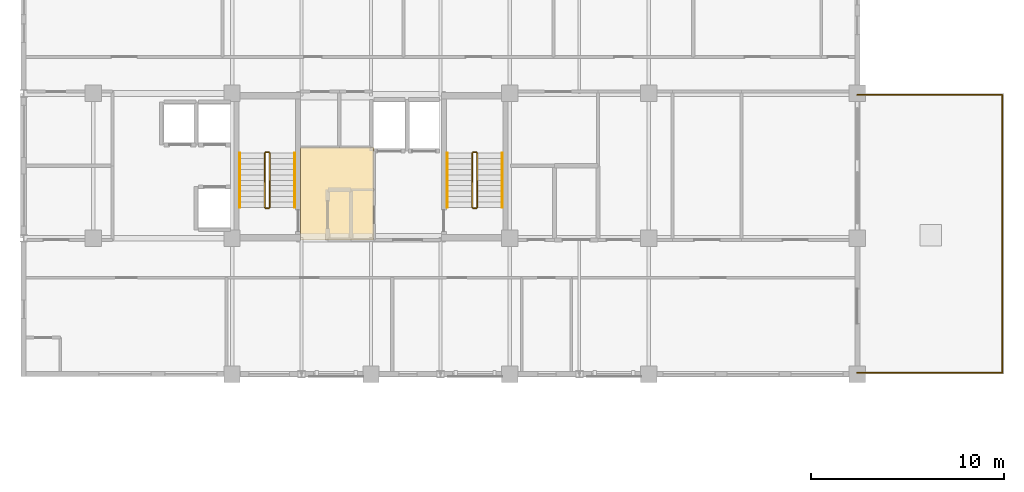
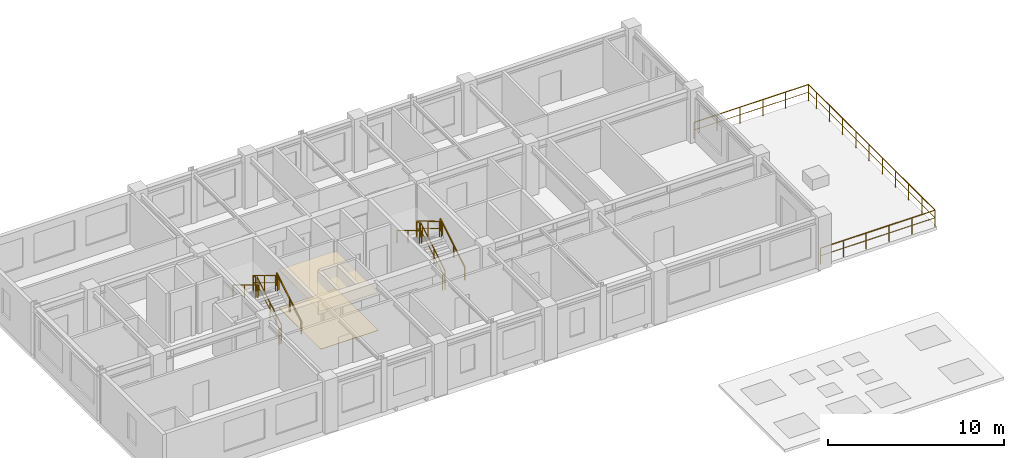
# One storey, part 7 of 8: 15 railings, 2 coverings.
"""IFC4 building model written with IfcOpenShell, lengths in metres."""

from ifc_helpers import new_model, si_unit, direction, frame, origin, origin_2d, place, context, subcontext, project, spatial, rectangle, extrude, source, transform, mapped, material, layer, layer_set, type_object, element, save


model = new_model("IFC4")

# Units and contexts
model_context = context("Model", 3, precision=1e-05, world=origin(), true_north=direction((0.0, 1.0)))
body_context = subcontext(model_context, "Body", "Model", "MODEL_VIEW")
ifc_project = project(units=[si_unit("LENGTHUNIT", "METRE"), si_unit("AREAUNIT", "SQUARE_METRE"), si_unit("VOLUMEUNIT", "CUBIC_METRE"), si_unit("PLANEANGLEUNIT", "RADIAN"), si_unit("MASSUNIT", "GRAM", prefix="KILO")], contexts=[model_context])

# Site, building, storey
site_placement = place(None, origin())
site = spatial("IfcSite", under=ifc_project, at=site_placement, CompositionType="ELEMENT")
building_placement = place(site_placement, origin())
building = spatial("IfcBuilding", under=site, at=building_placement, Name="Kaliganga Portal Commons", CompositionType="ELEMENT")
storey_placement = place(building_placement, frame((0.0, 0.0, 249.89990234375)))
storey = spatial("IfcBuildingStorey", under=building, at=storey_placement, Name="L64", CompositionType="ELEMENT", Elevation=249.89990234375)

# Railings
ifc_material_1 = material(Name="Laminated Safety Glass and Stainless Steel 316", Category="steel")
railing_type_1 = type_object("IfcRailingType", Name="RLG-BAL-1150", PredefinedType="BALUSTRADE", material=ifc_material_1)
railing_1_placement = place(storey_placement, frame((46.800048828125, 21.679931640625, 0.0)))
element("IfcRailing", 1, at=railing_1_placement, inside=storey, type_object=railing_type_1, Name="Terrace Guardrail L64 wing_b_roof_terrace-01-1", PredefinedType="BALUSTRADE", context=body_context, shape_type="SweptSolid", body=[
    extrude(rectangle(XDim=0.048095703125, YDim=0.048095703125, at=origin_2d()), frame((0.0, 0.0, 1.1259765625), z_axis=(1.0, 0.0, 0.0), x_axis=(0.0, 1.0, 0.0)), (0.0, 0.0, 1.0), 7.52001953125),
    extrude(rectangle(XDim=0.028076171875, YDim=0.028076171875, at=origin_2d()), frame((0.0, 0.0, 0.597900390625), z_axis=(1.0, 0.0, 0.0), x_axis=(0.0, 1.0, 0.0)), (0.0, 0.0, 1.0), 7.52001953125),
    extrude(rectangle(XDim=0.0419921875, YDim=0.0419921875, at=origin_2d()), origin(), (0.0, 0.0, 1.0), 1.101806640625),
    extrude(rectangle(XDim=0.0419921875, YDim=0.0419921875, at=origin_2d()), frame((1.5, 0.0, 0.0)), (0.0, 0.0, 1.0), 1.101806640625),
    extrude(rectangle(XDim=0.0419921875, YDim=0.0419921875, at=origin_2d()), frame((3.0, 0.0, 0.0)), (0.0, 0.0, 1.0), 1.101806640625),
    extrude(rectangle(XDim=0.0419921875, YDim=0.0419921875, at=origin_2d()), frame((4.5, 0.0, 0.0)), (0.0, 0.0, 1.0), 1.101806640625),
    extrude(rectangle(XDim=0.0419921875, YDim=0.0419921875, at=origin_2d()), frame((6.0, 0.0, 0.0)), (0.0, 0.0, 1.0), 1.101806640625),
    extrude(rectangle(XDim=0.0419921875, YDim=0.0419921875, at=origin_2d()), frame((7.52001953125, 0.0, 0.0)), (0.0, 0.0, 1.0), 1.101806640625),
])
railing_2_placement = place(storey_placement, frame((54.320068359375, 21.679931640625, 0.0)))
element("IfcRailing", 2, at=railing_2_placement, inside=storey, type_object=railing_type_1, Name="Terrace Guardrail L64 wing_b_roof_terrace-02-1", PredefinedType="BALUSTRADE", context=body_context, shape_type="SweptSolid", body=[
    extrude(rectangle(XDim=0.048095703125, YDim=0.048095703125, at=origin_2d()), frame((0.0, 0.0, 1.1259765625), z_axis=(0.0, 1.0, 0.0), x_axis=(-1.0, 0.0, 0.0)), (0.0, 0.0, 1.0), 14.39013671875),
    extrude(rectangle(XDim=0.028076171875, YDim=0.028076171875, at=origin_2d()), frame((0.0, 0.0, 0.597900390625), z_axis=(0.0, 1.0, 0.0), x_axis=(-1.0, 0.0, 0.0)), (0.0, 0.0, 1.0), 14.39013671875),
    extrude(rectangle(XDim=0.0419921875, YDim=0.0419921875, at=origin_2d()), origin(), (0.0, 0.0, 1.0), 1.101806640625),
    extrude(rectangle(XDim=0.0419921875, YDim=0.0419921875, at=origin_2d()), frame((0.0, 1.5, 0.0)), (0.0, 0.0, 1.0), 1.101806640625),
    extrude(rectangle(XDim=0.0419921875, YDim=0.0419921875, at=origin_2d()), frame((0.0, 3.0, 0.0)), (0.0, 0.0, 1.0), 1.101806640625),
    extrude(rectangle(XDim=0.0419921875, YDim=0.0419921875, at=origin_2d()), frame((0.0, 4.5, 0.0)), (0.0, 0.0, 1.0), 1.101806640625),
    extrude(rectangle(XDim=0.0419921875, YDim=0.0419921875, at=origin_2d()), frame((0.0, 6.0, 0.0)), (0.0, 0.0, 1.0), 1.101806640625),
    extrude(rectangle(XDim=0.0419921875, YDim=0.0419921875, at=origin_2d()), frame((0.0, 7.5, 0.0)), (0.0, 0.0, 1.0), 1.101806640625),
    extrude(rectangle(XDim=0.0419921875, YDim=0.0419921875, at=origin_2d()), frame((0.0, 9.0, 0.0)), (0.0, 0.0, 1.0), 1.101806640625),
    extrude(rectangle(XDim=0.0419921875, YDim=0.0419921875, at=origin_2d()), frame((0.0, 10.5, 0.0)), (0.0, 0.0, 1.0), 1.101806640625),
    extrude(rectangle(XDim=0.0419921875, YDim=0.0419921875, at=origin_2d()), frame((0.0, 12.0, 0.0)), (0.0, 0.0, 1.0), 1.101806640625),
    extrude(rectangle(XDim=0.0419921875, YDim=0.0419921875, at=origin_2d()), frame((0.0, 13.5, 0.0)), (0.0, 0.0, 1.0), 1.101806640625),
    extrude(rectangle(XDim=0.0419921875, YDim=0.0419921875, at=origin_2d()), frame((0.0, 14.39013671875, 0.0)), (0.0, 0.0, 1.0), 1.101806640625),
])
railing_3_placement = place(storey_placement, frame((54.320068359375, 36.070068359375, 0.0)))
element("IfcRailing", 3, at=railing_3_placement, inside=storey, type_object=railing_type_1, Name="Terrace Guardrail L64 wing_b_roof_terrace-03-1", PredefinedType="BALUSTRADE", context=body_context, shape_type="SweptSolid", body=[
    extrude(rectangle(XDim=0.048095703125, YDim=0.048095703125, at=origin_2d()), frame((0.0, 0.0, 1.1259765625), z_axis=(-1.0, 0.0, 0.0), x_axis=(0.0, -1.0, 0.0)), (0.0, 0.0, 1.0), 7.52001953125),
    extrude(rectangle(XDim=0.028076171875, YDim=0.028076171875, at=origin_2d()), frame((0.0, 0.0, 0.597900390625), z_axis=(-1.0, 0.0, 0.0), x_axis=(0.0, -1.0, 0.0)), (0.0, 0.0, 1.0), 7.52001953125),
    extrude(rectangle(XDim=0.0419921875, YDim=0.0419921875, at=origin_2d()), origin(), (0.0, 0.0, 1.0), 1.101806640625),
    extrude(rectangle(XDim=0.0419921875, YDim=0.0419921875, at=origin_2d()), frame((-1.5, 0.0, 0.0)), (0.0, 0.0, 1.0), 1.101806640625),
    extrude(rectangle(XDim=0.0419921875, YDim=0.0419921875, at=origin_2d()), frame((-3.0, 0.0, 0.0)), (0.0, 0.0, 1.0), 1.101806640625),
    extrude(rectangle(XDim=0.0419921875, YDim=0.0419921875, at=origin_2d()), frame((-4.5, 0.0, 0.0)), (0.0, 0.0, 1.0), 1.101806640625),
    extrude(rectangle(XDim=0.0419921875, YDim=0.0419921875, at=origin_2d()), frame((-6.0, 0.0, 0.0)), (0.0, 0.0, 1.0), 1.101806640625),
    extrude(rectangle(XDim=0.0419921875, YDim=0.0419921875, at=origin_2d()), frame((-7.52001953125, 0.0, 0.0)), (0.0, 0.0, 1.0), 1.101806640625),
])
ifc_material_2 = material(Name="Galvanized Painted Steel Balustrade", Category="steel")
railing_type_2 = type_object("IfcRailingType", Name="RLG-STAIR-GRD", PredefinedType="GUARDRAIL", material=ifc_material_2)
railing_4_placement = place(storey_placement, frame((16.35009765625, 30.25, 0.168212890625)))
element("IfcRailing", 4, at=railing_4_placement, inside=storey, type_object=railing_type_2, Name="L64 ST-A1 stair guard 1", PredefinedType="GUARDRAIL", context=body_context, shape_type="SweptSolid", body=[
    extrude(rectangle(XDim=0.048095703125, YDim=0.048095703125, at=origin_2d()), frame((0.0, 0.0, 1.072021484375), z_axis=(0.0, 0.857242210791, 0.514913383045), x_axis=(-1.0, 0.0, 0.0)), (0.0, 0.0, 1.0), 3.266357421875),
    extrude(rectangle(XDim=0.028076171875, YDim=0.028076171875, at=origin_2d()), frame((0.0, 0.0, 0.572021484375), z_axis=(0.0, 0.857242210791, 0.514913383045), x_axis=(-1.0, 0.0, 0.0)), (0.0, 0.0, 1.0), 3.266357421875),
    extrude(rectangle(XDim=0.0419921875, YDim=0.0419921875, at=origin_2d()), origin(), (0.0, 0.0, 1.0), 1.052001953125),
    extrude(rectangle(XDim=0.0419921875, YDim=0.0419921875, at=origin_2d()), frame((0.0, 1.285888671875, 0.7724609375)), (0.0, 0.0, 1.0), 1.052001953125),
    extrude(rectangle(XDim=0.0419921875, YDim=0.0419921875, at=origin_2d()), frame((0.0, 2.57177734375, 1.544677734375)), (0.0, 0.0, 1.0), 1.052001953125),
    extrude(rectangle(XDim=0.0419921875, YDim=0.0419921875, at=origin_2d()), frame((0.0, 2.800048828125, 1.681884765625)), (0.0, 0.0, 1.0), 1.052001953125),
])
railing_5_placement = place(storey_placement, frame((16.300048828125, 33.10009765625, 1.85009765625)))
element("IfcRailing", 5, at=railing_5_placement, inside=storey, type_object=railing_type_2, Name="L64 ST-A1 stair guard 2", PredefinedType="GUARDRAIL", context=body_context, shape_type="SweptSolid", body=[
    extrude(rectangle(XDim=0.048095703125, YDim=0.048095703125, at=origin_2d()), frame((0.0, 0.0, 1.076171875), z_axis=(-1.0, 0.0, 0.0), x_axis=(0.0, -1.0, 0.0)), (0.0, 0.0, 1.0), 0.150146484375),
    extrude(rectangle(XDim=0.028076171875, YDim=0.028076171875, at=origin_2d()), frame((0.0, 0.0, 0.572021484375), z_axis=(-1.0, 0.0, 0.0), x_axis=(0.0, -1.0, 0.0)), (0.0, 0.0, 1.0), 0.150146484375),
    extrude(rectangle(XDim=0.0419921875, YDim=0.0419921875, at=origin_2d()), origin(), (0.0, 0.0, 1.0), 1.052001953125),
    extrude(rectangle(XDim=0.0419921875, YDim=0.0419921875, at=origin_2d()), frame((-0.150146484375, 0.0, 0.0)), (0.0, 0.0, 1.0), 1.052001953125),
])
railing_6_placement = place(storey_placement, frame((16.10009765625, 33.050048828125, 2.018310546875)))
element("IfcRailing", 6, at=railing_6_placement, inside=storey, type_object=railing_type_2, Name="L64 ST-A1 stair guard 3", PredefinedType="GUARDRAIL", context=body_context, shape_type="SweptSolid", body=[
    extrude(rectangle(XDim=0.048095703125, YDim=0.048095703125, at=origin_2d()), frame((0.0, 0.0, 1.072021484375), z_axis=(0.0, -0.857242210791, 0.514913383045), x_axis=(1.0, 0.0, 0.0)), (0.0, 0.0, 1.0), 3.266357421875),
    extrude(rectangle(XDim=0.028076171875, YDim=0.028076171875, at=origin_2d()), frame((0.0, 0.0, 0.572021484375), z_axis=(0.0, -0.857242210791, 0.514913383045), x_axis=(1.0, 0.0, 0.0)), (0.0, 0.0, 1.0), 3.266357421875),
    extrude(rectangle(XDim=0.0419921875, YDim=0.0419921875, at=origin_2d()), origin(), (0.0, 0.0, 1.0), 1.052001953125),
    extrude(rectangle(XDim=0.0419921875, YDim=0.0419921875, at=origin_2d()), frame((0.0, -1.285888671875, 0.7724609375)), (0.0, 0.0, 1.0), 1.052001953125),
    extrude(rectangle(XDim=0.0419921875, YDim=0.0419921875, at=origin_2d()), frame((0.0, -2.57177734375, 1.544677734375)), (0.0, 0.0, 1.0), 1.052001953125),
    extrude(rectangle(XDim=0.0419921875, YDim=0.0419921875, at=origin_2d()), frame((0.0, -2.800048828125, 1.681884765625)), (0.0, 0.0, 1.0), 1.052001953125),
])
railing_7_placement = place(storey_placement, frame((16.300048828125, 30.199951171875, 0.0)))
element("IfcRailing", 7, at=railing_7_placement, inside=storey, type_object=railing_type_2, Name="L64 ST-A1 stair guard 4", PredefinedType="GUARDRAIL", context=body_context, shape_type="SweptSolid", body=[
    extrude(rectangle(XDim=0.048095703125, YDim=0.048095703125, at=origin_2d()), frame((0.0, 0.0, 1.076171875), z_axis=(-1.0, 0.0, 0.0), x_axis=(0.0, -1.0, 0.0)), (0.0, 0.0, 1.0), 0.150146484375),
    extrude(rectangle(XDim=0.028076171875, YDim=0.028076171875, at=origin_2d()), frame((0.0, 0.0, 0.572021484375), z_axis=(-1.0, 0.0, 0.0), x_axis=(0.0, -1.0, 0.0)), (0.0, 0.0, 1.0), 0.150146484375),
    extrude(rectangle(XDim=0.0419921875, YDim=0.0419921875, at=origin_2d()), origin(), (0.0, 0.0, 1.0), 1.052001953125),
    extrude(rectangle(XDim=0.0419921875, YDim=0.0419921875, at=origin_2d()), frame((-0.150146484375, 0.0, 0.0)), (0.0, 0.0, 1.0), 1.052001953125),
])
railing_8_placement = place(storey_placement, frame((27.10009765625, 30.25, 0.168212890625)))
element("IfcRailing", 8, at=railing_8_placement, inside=storey, type_object=railing_type_2, Name="L64 ST-A2 stair guard 1", PredefinedType="GUARDRAIL", context=body_context, shape_type="SweptSolid", body=[
    extrude(rectangle(XDim=0.048095703125, YDim=0.048095703125, at=origin_2d()), frame((0.0, 0.0, 1.072021484375), z_axis=(0.0, 0.857242210791, 0.514913383045), x_axis=(-1.0, 0.0, 0.0)), (0.0, 0.0, 1.0), 3.266357421875),
    extrude(rectangle(XDim=0.028076171875, YDim=0.028076171875, at=origin_2d()), frame((0.0, 0.0, 0.572021484375), z_axis=(0.0, 0.857242210791, 0.514913383045), x_axis=(-1.0, 0.0, 0.0)), (0.0, 0.0, 1.0), 3.266357421875),
    extrude(rectangle(XDim=0.0419921875, YDim=0.0419921875, at=origin_2d()), origin(), (0.0, 0.0, 1.0), 1.052001953125),
    extrude(rectangle(XDim=0.0419921875, YDim=0.0419921875, at=origin_2d()), frame((0.0, 1.285888671875, 0.7724609375)), (0.0, 0.0, 1.0), 1.052001953125),
    extrude(rectangle(XDim=0.0419921875, YDim=0.0419921875, at=origin_2d()), frame((0.0, 2.57177734375, 1.544677734375)), (0.0, 0.0, 1.0), 1.052001953125),
    extrude(rectangle(XDim=0.0419921875, YDim=0.0419921875, at=origin_2d()), frame((0.0, 2.800048828125, 1.681884765625)), (0.0, 0.0, 1.0), 1.052001953125),
])
railing_9_placement = place(storey_placement, frame((27.050048828125, 33.10009765625, 1.85009765625)))
element("IfcRailing", 9, at=railing_9_placement, inside=storey, type_object=railing_type_2, Name="L64 ST-A2 stair guard 2", PredefinedType="GUARDRAIL", context=body_context, shape_type="SweptSolid", body=[
    extrude(rectangle(XDim=0.048095703125, YDim=0.048095703125, at=origin_2d()), frame((0.0, 0.0, 1.076171875), z_axis=(-1.0, 0.0, 0.0), x_axis=(0.0, -1.0, 0.0)), (0.0, 0.0, 1.0), 0.150146484375),
    extrude(rectangle(XDim=0.028076171875, YDim=0.028076171875, at=origin_2d()), frame((0.0, 0.0, 0.572021484375), z_axis=(-1.0, 0.0, 0.0), x_axis=(0.0, -1.0, 0.0)), (0.0, 0.0, 1.0), 0.150146484375),
    extrude(rectangle(XDim=0.0419921875, YDim=0.0419921875, at=origin_2d()), origin(), (0.0, 0.0, 1.0), 1.052001953125),
    extrude(rectangle(XDim=0.0419921875, YDim=0.0419921875, at=origin_2d()), frame((-0.150146484375, 0.0, 0.0)), (0.0, 0.0, 1.0), 1.052001953125),
])
railing_10_placement = place(storey_placement, frame((26.85009765625, 33.050048828125, 2.018310546875)))
element("IfcRailing", 10, at=railing_10_placement, inside=storey, type_object=railing_type_2, Name="L64 ST-A2 stair guard 3", PredefinedType="GUARDRAIL", context=body_context, shape_type="SweptSolid", body=[
    extrude(rectangle(XDim=0.048095703125, YDim=0.048095703125, at=origin_2d()), frame((0.0, 0.0, 1.072021484375), z_axis=(0.0, -0.857242210791, 0.514913383045), x_axis=(1.0, 0.0, 0.0)), (0.0, 0.0, 1.0), 3.266357421875),
    extrude(rectangle(XDim=0.028076171875, YDim=0.028076171875, at=origin_2d()), frame((0.0, 0.0, 0.572021484375), z_axis=(0.0, -0.857242210791, 0.514913383045), x_axis=(1.0, 0.0, 0.0)), (0.0, 0.0, 1.0), 3.266357421875),
    extrude(rectangle(XDim=0.0419921875, YDim=0.0419921875, at=origin_2d()), origin(), (0.0, 0.0, 1.0), 1.052001953125),
    extrude(rectangle(XDim=0.0419921875, YDim=0.0419921875, at=origin_2d()), frame((0.0, -1.285888671875, 0.7724609375)), (0.0, 0.0, 1.0), 1.052001953125),
    extrude(rectangle(XDim=0.0419921875, YDim=0.0419921875, at=origin_2d()), frame((0.0, -2.57177734375, 1.544677734375)), (0.0, 0.0, 1.0), 1.052001953125),
    extrude(rectangle(XDim=0.0419921875, YDim=0.0419921875, at=origin_2d()), frame((0.0, -2.800048828125, 1.681884765625)), (0.0, 0.0, 1.0), 1.052001953125),
])
railing_11_placement = place(storey_placement, frame((27.050048828125, 30.199951171875, 0.0)))
element("IfcRailing", 11, at=railing_11_placement, inside=storey, type_object=railing_type_2, Name="L64 ST-A2 stair guard 4", PredefinedType="GUARDRAIL", context=body_context, shape_type="SweptSolid", body=[
    extrude(rectangle(XDim=0.048095703125, YDim=0.048095703125, at=origin_2d()), frame((0.0, 0.0, 1.076171875), z_axis=(-1.0, 0.0, 0.0), x_axis=(0.0, -1.0, 0.0)), (0.0, 0.0, 1.0), 0.150146484375),
    extrude(rectangle(XDim=0.028076171875, YDim=0.028076171875, at=origin_2d()), frame((0.0, 0.0, 0.572021484375), z_axis=(-1.0, 0.0, 0.0), x_axis=(0.0, -1.0, 0.0)), (0.0, 0.0, 1.0), 0.150146484375),
    extrude(rectangle(XDim=0.0419921875, YDim=0.0419921875, at=origin_2d()), origin(), (0.0, 0.0, 1.0), 1.052001953125),
    extrude(rectangle(XDim=0.0419921875, YDim=0.0419921875, at=origin_2d()), frame((-0.150146484375, 0.0, 0.0)), (0.0, 0.0, 1.0), 1.052001953125),
])
ifc_material_3 = material(Name="Brushed Stainless Steel 316", Category="steel")
railing_type_3 = type_object("IfcRailingType", Name="RLG-STAIR-HR", PredefinedType="HANDRAIL", material=ifc_material_3)
railing_12_placement = place(storey_placement, frame((17.64990234375, 30.25, 0.168212890625)))
element("IfcRailing", 12, at=railing_12_placement, inside=storey, type_object=railing_type_3, Name="L64 ST-A1 stair handrail 1", PredefinedType="HANDRAIL", context=body_context, shape_type="SweptSolid", body=[
    extrude(rectangle(XDim=0.048095703125, YDim=0.048095703125, at=origin_2d()), frame((0.0, 0.0, 0.871826171875), z_axis=(0.0, 0.857242210791, 0.514913383045), x_axis=(-1.0, 0.0, 0.0)), (0.0, 0.0, 1.0), 3.266357421875),
    extrude(rectangle(XDim=0.0419921875, YDim=0.0419921875, at=origin_2d()), origin(), (0.0, 0.0, 1.0), 0.851806640625),
    extrude(rectangle(XDim=0.0419921875, YDim=0.0419921875, at=origin_2d()), frame((0.0, 1.285888671875, 0.7724609375)), (0.0, 0.0, 1.0), 0.851806640625),
    extrude(rectangle(XDim=0.0419921875, YDim=0.0419921875, at=origin_2d()), frame((0.0, 2.57177734375, 1.544677734375)), (0.0, 0.0, 1.0), 0.851806640625),
    extrude(rectangle(XDim=0.0419921875, YDim=0.0419921875, at=origin_2d()), frame((0.0, 2.800048828125, 1.681884765625)), (0.0, 0.0, 1.0), 0.851806640625),
])
railing_13_placement = place(storey_placement, frame((14.800048828125, 33.050048828125, 2.018310546875)))
element("IfcRailing", 13, at=railing_13_placement, inside=storey, type_object=railing_type_3, Name="L64 ST-A1 stair handrail 2", PredefinedType="HANDRAIL", context=body_context, shape_type="SweptSolid", body=[
    extrude(rectangle(XDim=0.048095703125, YDim=0.048095703125, at=origin_2d()), frame((0.0, 0.0, 0.871826171875), z_axis=(0.0, -0.857242210791, 0.514913383045), x_axis=(1.0, 0.0, 0.0)), (0.0, 0.0, 1.0), 3.266357421875),
    extrude(rectangle(XDim=0.0419921875, YDim=0.0419921875, at=origin_2d()), origin(), (0.0, 0.0, 1.0), 0.851806640625),
    extrude(rectangle(XDim=0.0419921875, YDim=0.0419921875, at=origin_2d()), frame((0.0, -1.285888671875, 0.7724609375)), (0.0, 0.0, 1.0), 0.851806640625),
    extrude(rectangle(XDim=0.0419921875, YDim=0.0419921875, at=origin_2d()), frame((0.0, -2.57177734375, 1.544677734375)), (0.0, 0.0, 1.0), 0.851806640625),
    extrude(rectangle(XDim=0.0419921875, YDim=0.0419921875, at=origin_2d()), frame((0.0, -2.800048828125, 1.681884765625)), (0.0, 0.0, 1.0), 0.851806640625),
])
railing_14_placement = place(storey_placement, frame((28.39990234375, 30.25, 0.168212890625)))
element("IfcRailing", 14, at=railing_14_placement, inside=storey, type_object=railing_type_3, Name="L64 ST-A2 stair handrail 1", PredefinedType="HANDRAIL", context=body_context, shape_type="SweptSolid", body=[
    extrude(rectangle(XDim=0.048095703125, YDim=0.048095703125, at=origin_2d()), frame((0.0, 0.0, 0.871826171875), z_axis=(0.0, 0.857242210791, 0.514913383045), x_axis=(-1.0, 0.0, 0.0)), (0.0, 0.0, 1.0), 3.266357421875),
    extrude(rectangle(XDim=0.0419921875, YDim=0.0419921875, at=origin_2d()), origin(), (0.0, 0.0, 1.0), 0.851806640625),
    extrude(rectangle(XDim=0.0419921875, YDim=0.0419921875, at=origin_2d()), frame((0.0, 1.285888671875, 0.7724609375)), (0.0, 0.0, 1.0), 0.851806640625),
    extrude(rectangle(XDim=0.0419921875, YDim=0.0419921875, at=origin_2d()), frame((0.0, 2.57177734375, 1.544677734375)), (0.0, 0.0, 1.0), 0.851806640625),
    extrude(rectangle(XDim=0.0419921875, YDim=0.0419921875, at=origin_2d()), frame((0.0, 2.800048828125, 1.681884765625)), (0.0, 0.0, 1.0), 0.851806640625),
])
railing_15_placement = place(storey_placement, frame((25.550048828125, 33.050048828125, 2.018310546875)))
element("IfcRailing", 15, at=railing_15_placement, inside=storey, type_object=railing_type_3, Name="L64 ST-A2 stair handrail 2", PredefinedType="HANDRAIL", context=body_context, shape_type="SweptSolid", body=[
    extrude(rectangle(XDim=0.048095703125, YDim=0.048095703125, at=origin_2d()), frame((0.0, 0.0, 0.871826171875), z_axis=(0.0, -0.857242210791, 0.514913383045), x_axis=(1.0, 0.0, 0.0)), (0.0, 0.0, 1.0), 3.266357421875),
    extrude(rectangle(XDim=0.0419921875, YDim=0.0419921875, at=origin_2d()), origin(), (0.0, 0.0, 1.0), 0.851806640625),
    extrude(rectangle(XDim=0.0419921875, YDim=0.0419921875, at=origin_2d()), frame((0.0, -1.285888671875, 0.7724609375)), (0.0, 0.0, 1.0), 0.851806640625),
    extrude(rectangle(XDim=0.0419921875, YDim=0.0419921875, at=origin_2d()), frame((0.0, -2.57177734375, 1.544677734375)), (0.0, 0.0, 1.0), 0.851806640625),
    extrude(rectangle(XDim=0.0419921875, YDim=0.0419921875, at=origin_2d()), frame((0.0, -2.800048828125, 1.681884765625)), (0.0, 0.0, 1.0), 0.851806640625),
])

# Coverings
ifc_material_4 = material(Name="Acoustic Micro-Perforated Gypsum Ceiling", Category="gypsum")
ifc_layer_1 = layer(ifc_material_4, 0.02001953125)
ifc_layer_set_1 = layer_set([ifc_layer_1], Name="Acoustic Micro-Perforated Gypsum Ceiling")
covering_type_1 = type_object("IfcCoveringType", Name="COV-CEIL-GYP", PredefinedType="CEILING", material=ifc_layer_set_1)
shared_shape_1 = source(origin(), body_context, "Body", "SweptSolid", [
    extrude(rectangle(XDim=3.780029296875, YDim=4.780029296875, at=origin_2d()), origin(), (0.0, 0.0, 1.0), 0.02001953125),
])
covering_1_placement = place(storey_placement, frame((19.85009765625, 30.949951171875, 2.64013671875), z_axis=(0.0, 0.0, 1.0), x_axis=(1.0, 0.0, 0.0)))
element("IfcCovering", 16, at=covering_1_placement, inside=storey, type_object=covering_type_1, Name="Acoustic Ceiling L64 PLOB_A", PredefinedType="CEILING", context=body_context, shape_type="MappedRepresentation", body=[
    mapped(shared_shape_1, transform((0.0, 0.0, 0.0), x_axis=(1.0, 0.0, 0.0), y_axis=(0.0, 1.0, 0.0), z_axis=(0.0, 0.0, 1.0), scale=1.0)),
])
ifc_material_5 = material(Name="Polished Sylhet Stone Terrazzo Flooring", Category="masonry")
ifc_layer_2 = layer(ifc_material_5, 0.02490234375)
ifc_layer_set_2 = layer_set([ifc_layer_2], Name="Polished Sylhet Stone Terrazzo Flooring")
covering_type_2 = type_object("IfcCoveringType", Name="COV-FLR-TERRAZZO", PredefinedType="FLOORING", material=ifc_layer_set_2)
shared_shape_2 = source(origin(), body_context, "Body", "SweptSolid", [
    extrude(rectangle(XDim=3.780029296875, YDim=4.780029296875, at=origin_2d()), origin(), (0.0, 0.0, 1.0), 0.02490234375),
])
covering_2_placement = place(storey_placement, frame((19.85009765625, 30.949951171875, 0.000732421875), z_axis=(0.0, 0.0, 1.0), x_axis=(1.0, 0.0, 0.0)))
element("IfcCovering", 17, at=covering_2_placement, inside=storey, type_object=covering_type_2, Name="Terrazzo Flooring L64 PLOB_A", PredefinedType="FLOORING", context=body_context, shape_type="MappedRepresentation", body=[
    mapped(shared_shape_2, transform((0.0, 0.0, 0.0), x_axis=(1.0, 0.0, 0.0), y_axis=(0.0, 1.0, 0.0), z_axis=(0.0, 0.0, 1.0), scale=1.0)),
])

save(model, "model.ifc")
